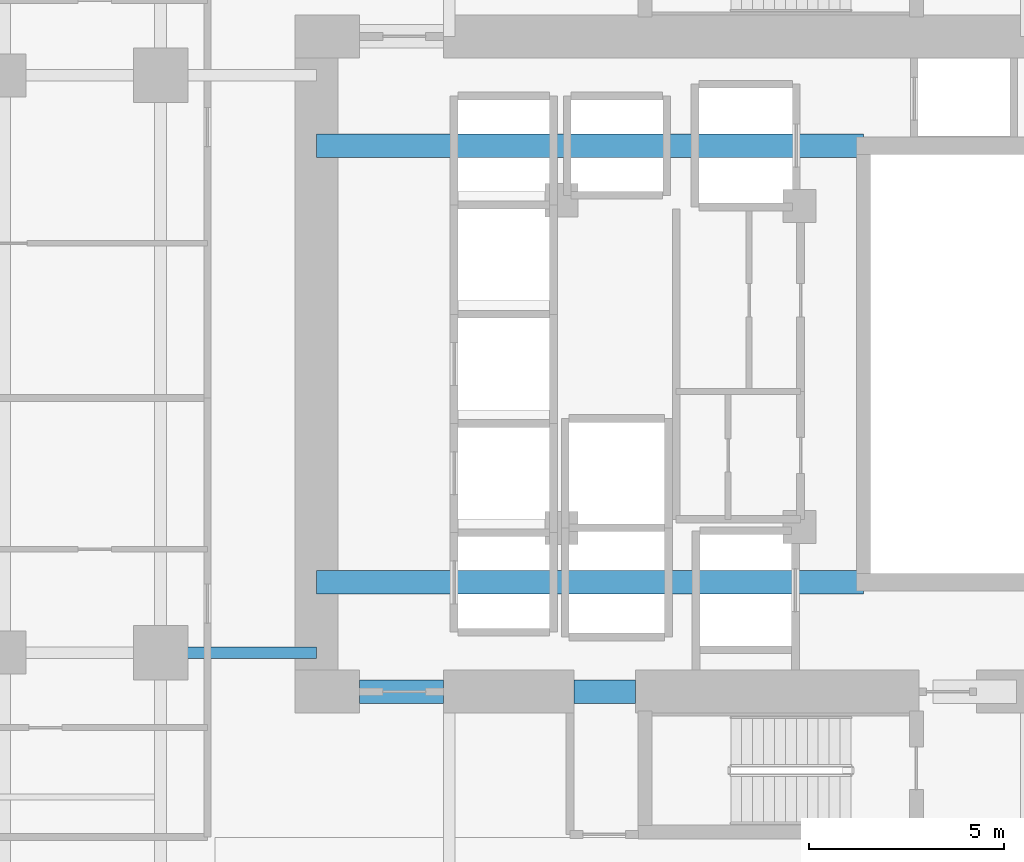
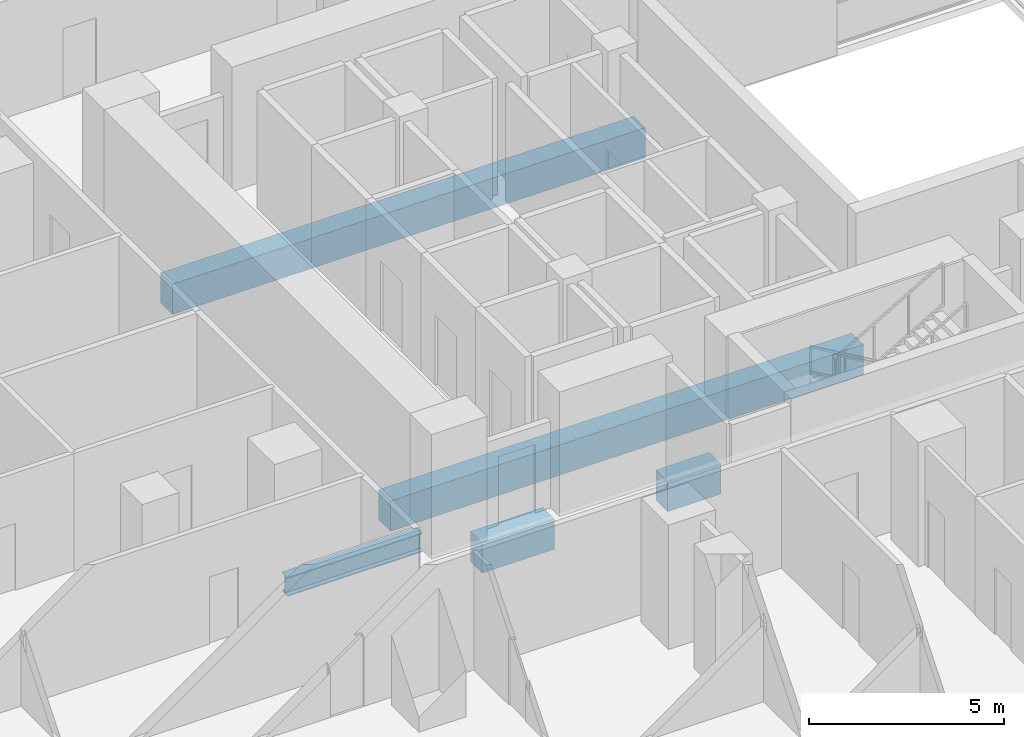
# One storey, part 7 of 29: 5 beams.
"""IFC4 building model written with IfcOpenShell, lengths in metres."""

from ifc_helpers import new_model, si_unit, direction, frame, origin, origin_2d, place, context, subcontext, project, spatial, rectangle, i_section, extrude, material, material_profile, profile_set, type_object, element, save


model = new_model("IFC4")

# Units and contexts
model_context = context("Model", 3, precision=1e-05, world=origin(), true_north=direction((0.0, 1.0)))
body_context = subcontext(model_context, "Body", "Model", "MODEL_VIEW")
ifc_project = project(units=[si_unit("LENGTHUNIT", "METRE"), si_unit("AREAUNIT", "SQUARE_METRE"), si_unit("VOLUMEUNIT", "CUBIC_METRE"), si_unit("PLANEANGLEUNIT", "RADIAN"), si_unit("MASSUNIT", "GRAM", prefix="KILO")], contexts=[model_context])

# Site, building, storey
site_placement = place(None, origin())
site = spatial("IfcSite", under=ifc_project, at=site_placement, CompositionType="ELEMENT")
building_placement = place(site_placement, origin())
building = spatial("IfcBuilding", under=site, at=building_placement, Name="Khorvyn Point Tower", CompositionType="ELEMENT")
storey_placement = place(building_placement, frame((0.0, 0.0, 69.60009765625)))
storey = spatial("IfcBuildingStorey", under=building, at=storey_placement, Name="L18", CompositionType="ELEMENT", Elevation=69.60009765625)

# Beams
ifc_material_1 = material(Name="Concrete C50/60", Category="concrete")
ifc_material_profile_1 = material_profile(ifc_material_1, rectangle(XDim=0.60009765625, YDim=0.949951171875, at=origin_2d()))
ifc_profile_set_1 = profile_set([ifc_material_profile_1], Name="Concrete C50/60 RC600x950")
beam_type_1 = type_object("IfcBeamType", Name="Concrete C50/60 Beam RC600x950", PredefinedType="BEAM", material=ifc_profile_set_1)
for number, where, z_axis, x_axis, name in (
    (1, (-10.800048828125, -5.60009765625, -0.695068359375), (1.0, 0.0, 0.0), (0.0, 1.0, 0.0), "L18 Core Internal Tie Girder S"),
    (2, (-10.800048828125, 5.60009765625, -0.695068359375), (1.0, 0.0, 0.0), (0.0, 1.0, 0.0), "L18 Core Internal Tie Girder N"),
):
    element("IfcBeam", number, at=place(storey_placement, frame(where, z_axis=z_axis, x_axis=x_axis)), inside=storey, type_object=beam_type_1, Name=name, PredefinedType="BEAM", context=body_context, shape_type="SweptSolid", body=[
        extrude(rectangle(XDim=0.60009765625, YDim=0.949951171875, at=origin_2d()), origin(), (0.0, 0.0, 1.0), 14.02001953125),
    ])
beam_1_placement = place(storey_placement, frame((-9.699951171875, -8.39990234375, -0.695068359375), z_axis=(1.0, 0.0, 0.0), x_axis=(0.0, 1.0, 0.0)))
element("IfcBeam", 3, at=beam_1_placement, inside=storey, type_object=beam_type_1, Name="L18 Core Southwest Portal Coupling Beam", PredefinedType="BEAM", context=body_context, shape_type="SweptSolid", body=[
    extrude(rectangle(XDim=0.60009765625, YDim=0.949951171875, at=origin_2d()), origin(), (0.0, 0.0, 1.0), 2.14990234375),
])
beam_2_placement = place(storey_placement, frame((-4.199951171875, -8.39990234375, -0.695068359375), z_axis=(1.0, 0.0, 0.0), x_axis=(0.0, 1.0, 0.0)))
element("IfcBeam", 4, at=beam_2_placement, inside=storey, type_object=beam_type_1, Name="L18 Core Shuttle Portal Coupling Beam", PredefinedType="BEAM", context=body_context, shape_type="SweptSolid", body=[
    extrude(rectangle(XDim=0.60009765625, YDim=0.949951171875, at=origin_2d()), origin(), (0.0, 0.0, 1.0), 1.579833984375),
])
ifc_material_2 = material(Name="Steel S355", Category="steel")
ifc_material_profile_2 = material_profile(ifc_material_2, i_section(OverallWidth=0.300048828125, OverallDepth=0.587890625, WebThickness=0.011962890625, FlangeThickness=0.02001953125, at=origin_2d()))
ifc_profile_set_2 = profile_set([ifc_material_profile_2], Name="Steel S355 H588x300x12x20")
beam_type_2 = type_object("IfcBeamType", Name="Steel S355 Beam H588x300x12x20", PredefinedType="BEAM", material=ifc_profile_set_2)
beam_3_placement = place(storey_placement, frame((-14.800048828125, -7.39990234375, -0.51416015625), z_axis=(1.0, 0.0, 0.0), x_axis=(0.0, 1.0, 0.0)))
element("IfcBeam", 5, at=beam_3_placement, inside=storey, type_object=beam_type_2, Name="Beam", PredefinedType="BEAM", context=body_context, shape_type="SweptSolid", body=[
    extrude(i_section(OverallWidth=0.300048828125, OverallDepth=0.587890625, WebThickness=0.011962890625, FlangeThickness=0.02001953125, at=origin_2d()), origin(), (0.0, 0.0, 1.0), 4.0),
])

save(model, "model.ifc")
